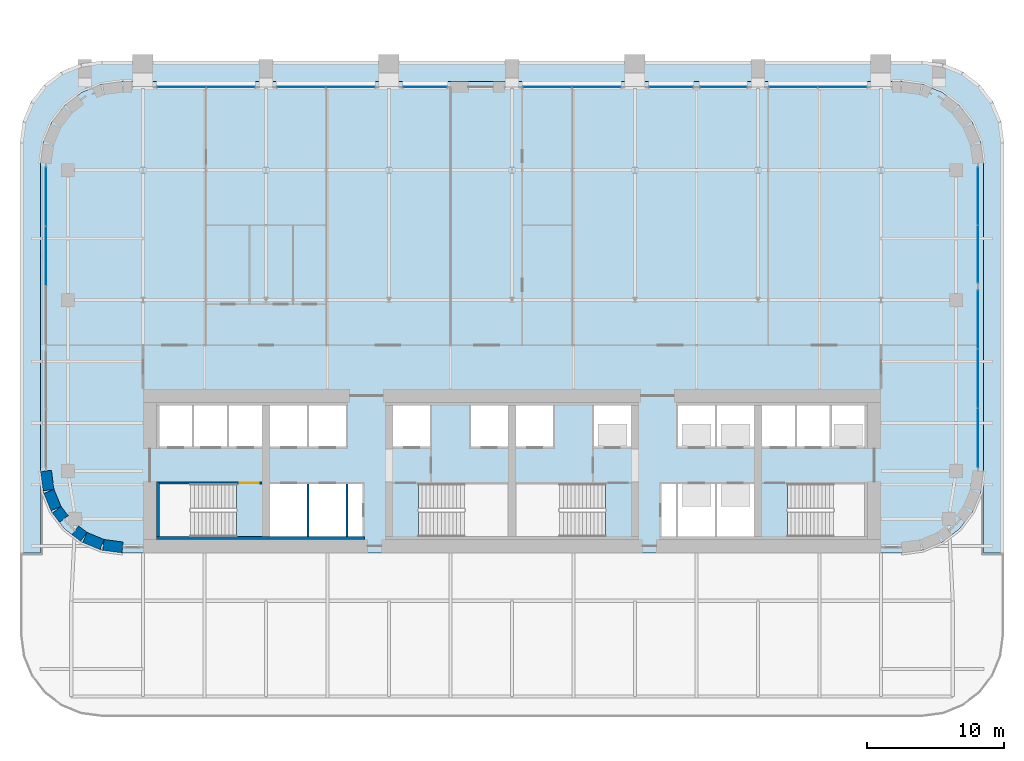
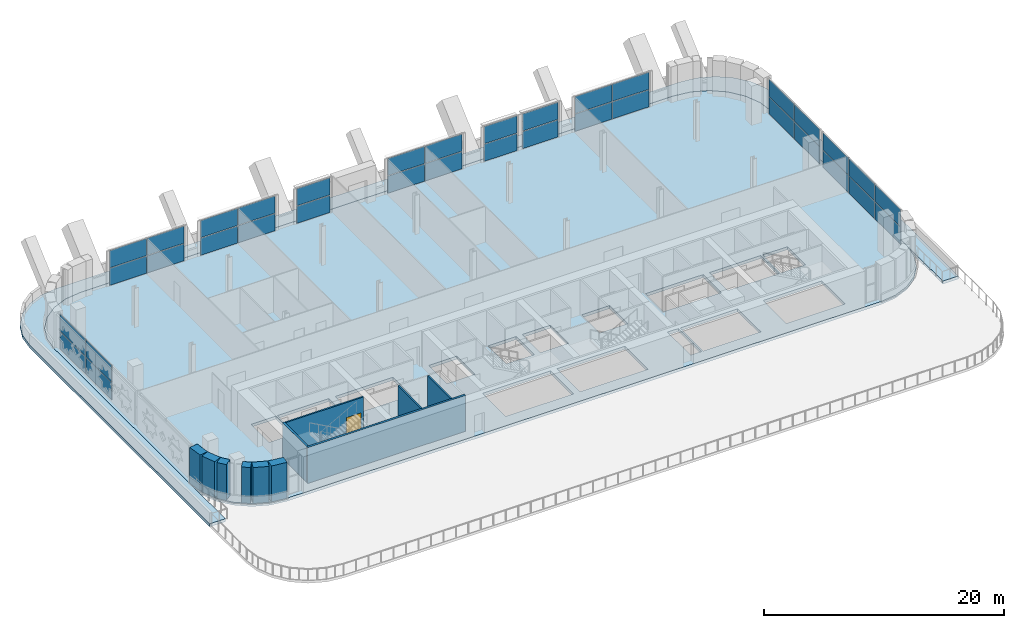
# One storey, part 14 of 26: 36 plates, 11 walls, 2 slabs, 1 door, 1 opening, 10 elements without a shape of their own.
"""IFC4 building model written with IfcOpenShell, lengths in metres."""

from ifc_helpers import new_model, si_unit, direction, frame, frame_2d, origin, origin_2d, place, context, subcontext, project, spatial, polyline, rectangle, outline, extrude, material, layer, layer_set, type_object, element, fill, aggregate, save


model = new_model("IFC4")

# Units and contexts
model_context = context("Model", 3, precision=1e-05, world=origin(), true_north=direction((0.0, 1.0)))
body_context = subcontext(model_context, "Body", "Model", "MODEL_VIEW")
ifc_project = project(units=[si_unit("LENGTHUNIT", "METRE"), si_unit("AREAUNIT", "SQUARE_METRE"), si_unit("VOLUMEUNIT", "CUBIC_METRE"), si_unit("PLANEANGLEUNIT", "RADIAN"), si_unit("MASSUNIT", "GRAM", prefix="KILO")], contexts=[model_context])

# Site, building, storey
site_placement = place(None, origin())
site = spatial("IfcSite", under=ifc_project, at=site_placement, CompositionType="ELEMENT")
building_placement = place(site_placement, origin())
building = spatial("IfcBuilding", under=site, at=building_placement, Name="Zellij Exchange Tower", CompositionType="ELEMENT")
storey_placement = place(building_placement, frame((0.0, 0.0, 156.5)))
storey = spatial("IfcBuildingStorey", under=building, at=storey_placement, Name="L35", CompositionType="ELEMENT", Elevation=156.5)

# Curtain wall, plates
ifc_material_1 = material(Name="Aluminium frame, clear insulating glass", Category="aluminium")
curtain_wall_type = type_object("IfcCurtainWallType", Name="ENV-CW6 Sky-lobby glazing", PredefinedType="NOTDEFINED", material=ifc_material_1)
curtain_wall_1_placement = place(storey_placement, origin())
curtain_wall_1 = element("IfcCurtainWall", 1, at=curtain_wall_1_placement, inside=storey, type_object=curtain_wall_type, Name="cw.L35.07a", PredefinedType="NOTDEFINED")
ifc_material_2 = material(Name="Insulating glass unit, clear", Category="glass")
ifc_layer_1 = layer(ifc_material_2, 0.035888671875)
ifc_layer_set_1 = layer_set([ifc_layer_1], Name="Insulating glass unit, clear")
plate_type = type_object("IfcPlateType", Name="ENV-CW6P Glazed panel 36", PredefinedType="CURTAIN_PANEL", material=ifc_layer_set_1)
plate_1_placement = place(storey_placement, frame((34.10009765625, -5.580810546875, 0.06005859375), z_axis=(0.0, 0.0, 1.0), x_axis=(0.0, 1.0, 0.0)))
plate_1 = element("IfcPlate", 2, at=plate_1_placement, type_object=plate_type, Name="CW6 panel 1.1", PredefinedType="CURTAIN_PANEL", context=body_context, shape_type="SweptSolid", body=[
    extrude(rectangle(XDim=4.26611328125, YDim=0.035888671875, at=origin_2d()), origin(), (0.0, 0.0, 1.0), 1.735107421875),
])
plate_2_placement = place(storey_placement, frame((34.10009765625, -5.580810546875, 1.85498046875), z_axis=(0.0, 0.0, 1.0), x_axis=(0.0, 1.0, 0.0)))
plate_2 = element("IfcPlate", 3, at=plate_2_placement, type_object=plate_type, Name="CW6 panel 1.2", PredefinedType="CURTAIN_PANEL", context=body_context, shape_type="SweptSolid", body=[
    extrude(rectangle(XDim=4.26611328125, YDim=0.035888671875, at=origin_2d()), origin(), (0.0, 0.0, 1.0), 1.735107421875),
])
plate_3_placement = place(storey_placement, frame((34.10009765625, -1.239501953125, 0.06005859375), z_axis=(0.0, 0.0, 1.0), x_axis=(0.0, 1.0, 0.0)))
plate_3 = element("IfcPlate", 4, at=plate_3_placement, type_object=plate_type, Name="CW6 panel 2.1", PredefinedType="CURTAIN_PANEL", context=body_context, shape_type="SweptSolid", body=[
    extrude(rectangle(XDim=4.296142578125, YDim=0.035888671875, at=origin_2d()), origin(), (0.0, 0.0, 1.0), 1.735107421875),
])
plate_4_placement = place(storey_placement, frame((34.10009765625, -1.239501953125, 1.85498046875), z_axis=(0.0, 0.0, 1.0), x_axis=(0.0, 1.0, 0.0)))
plate_4 = element("IfcPlate", 5, at=plate_4_placement, type_object=plate_type, Name="CW6 panel 2.2", PredefinedType="CURTAIN_PANEL", context=body_context, shape_type="SweptSolid", body=[
    extrude(rectangle(XDim=4.296142578125, YDim=0.035888671875, at=origin_2d()), origin(), (0.0, 0.0, 1.0), 1.735107421875),
])
plate_5_placement = place(storey_placement, frame((34.10009765625, 3.1015625, 0.06005859375), z_axis=(0.0, 0.0, 1.0), x_axis=(0.0, 1.0, 0.0)))
plate_5 = element("IfcPlate", 6, at=plate_5_placement, type_object=plate_type, Name="CW6 panel 3.1", PredefinedType="CURTAIN_PANEL", context=body_context, shape_type="SweptSolid", body=[
    extrude(rectangle(XDim=4.26611328125, YDim=0.035888671875, at=origin_2d()), origin(), (0.0, 0.0, 1.0), 1.735107421875),
])
plate_6_placement = place(storey_placement, frame((34.10009765625, 3.1015625, 1.85498046875), z_axis=(0.0, 0.0, 1.0), x_axis=(0.0, 1.0, 0.0)))
plate_6 = element("IfcPlate", 7, at=plate_6_placement, type_object=plate_type, Name="CW6 panel 3.2", PredefinedType="CURTAIN_PANEL", context=body_context, shape_type="SweptSolid", body=[
    extrude(rectangle(XDim=4.26611328125, YDim=0.035888671875, at=origin_2d()), origin(), (0.0, 0.0, 1.0), 1.735107421875),
])
aggregate(curtain_wall_1, [plate_1, plate_2, plate_3, plate_4, plate_5, plate_6])

curtain_wall_2_placement = place(storey_placement, origin())
curtain_wall_2 = element("IfcCurtainWall", 8, at=curtain_wall_2_placement, inside=storey, type_object=curtain_wall_type, Name="cw.L35.07b", PredefinedType="NOTDEFINED")
plate_7_placement = place(storey_placement, frame((34.10009765625, 7.8544921875, 0.06005859375), z_axis=(0.0, 0.0, 1.0), x_axis=(0.0, 1.0, 0.0)))
plate_7 = element("IfcPlate", 9, at=plate_7_placement, type_object=plate_type, Name="CW6 panel 1.1", PredefinedType="CURTAIN_PANEL", context=body_context, shape_type="SweptSolid", body=[
    extrude(rectangle(XDim=4.199462890625, YDim=0.035888671875, at=origin_2d()), origin(), (0.0, 0.0, 1.0), 1.735107421875),
])
plate_8_placement = place(storey_placement, frame((34.10009765625, 7.8544921875, 1.85498046875), z_axis=(0.0, 0.0, 1.0), x_axis=(0.0, 1.0, 0.0)))
plate_8 = element("IfcPlate", 10, at=plate_8_placement, type_object=plate_type, Name="CW6 panel 1.2", PredefinedType="CURTAIN_PANEL", context=body_context, shape_type="SweptSolid", body=[
    extrude(rectangle(XDim=4.199462890625, YDim=0.035888671875, at=origin_2d()), origin(), (0.0, 0.0, 1.0), 1.735107421875),
])
plate_9_placement = place(storey_placement, frame((34.10009765625, 12.114013671875, 0.06005859375), z_axis=(0.0, 0.0, 1.0), x_axis=(0.0, 1.0, 0.0)))
plate_9 = element("IfcPlate", 11, at=plate_9_placement, type_object=plate_type, Name="CW6 panel 2.1", PredefinedType="CURTAIN_PANEL", context=body_context, shape_type="SweptSolid", body=[
    extrude(rectangle(XDim=4.199462890625, YDim=0.035888671875, at=origin_2d()), origin(), (0.0, 0.0, 1.0), 1.735107421875),
])
plate_10_placement = place(storey_placement, frame((34.10009765625, 12.114013671875, 1.85498046875), z_axis=(0.0, 0.0, 1.0), x_axis=(0.0, 1.0, 0.0)))
plate_10 = element("IfcPlate", 12, at=plate_10_placement, type_object=plate_type, Name="CW6 panel 2.2", PredefinedType="CURTAIN_PANEL", context=body_context, shape_type="SweptSolid", body=[
    extrude(rectangle(XDim=4.199462890625, YDim=0.035888671875, at=origin_2d()), origin(), (0.0, 0.0, 1.0), 1.735107421875),
])
aggregate(curtain_wall_2, [plate_7, plate_8, plate_9, plate_10])

curtain_wall_3_placement = place(storey_placement, origin())
curtain_wall_3 = element("IfcCurtainWall", 13, at=curtain_wall_3_placement, inside=storey, type_object=curtain_wall_type, Name="cw.L35.14b", PredefinedType="NOTDEFINED")
plate_11_placement = place(storey_placement, frame((24.172607421875, 20.10009765625, 0.06005859375), z_axis=(0.0, 0.0, 1.0), x_axis=(-1.0, 0.0, 0.0)))
plate_11 = element("IfcPlate", 14, at=plate_11_placement, type_object=plate_type, Name="CW6 panel 1.1", PredefinedType="CURTAIN_PANEL", context=body_context, shape_type="SweptSolid", body=[
    extrude(rectangle(XDim=3.534912109375, YDim=0.035888671875, at=origin_2d()), origin(), (0.0, 0.0, 1.0), 1.735107421875),
])
plate_12_placement = place(storey_placement, frame((24.172607421875, 20.10009765625, 1.85498046875), z_axis=(0.0, 0.0, 1.0), x_axis=(-1.0, 0.0, 0.0)))
plate_12 = element("IfcPlate", 15, at=plate_12_placement, type_object=plate_type, Name="CW6 panel 1.2", PredefinedType="CURTAIN_PANEL", context=body_context, shape_type="SweptSolid", body=[
    extrude(rectangle(XDim=3.534912109375, YDim=0.035888671875, at=origin_2d()), origin(), (0.0, 0.0, 1.0), 1.735107421875),
])
plate_13_placement = place(storey_placement, frame((20.577392578125, 20.10009765625, 0.06005859375), z_axis=(0.0, 0.0, 1.0), x_axis=(-1.0, 0.0, 0.0)))
plate_13 = element("IfcPlate", 16, at=plate_13_placement, type_object=plate_type, Name="CW6 panel 2.1", PredefinedType="CURTAIN_PANEL", context=body_context, shape_type="SweptSolid", body=[
    extrude(rectangle(XDim=3.534912109375, YDim=0.035888671875, at=origin_2d()), origin(), (0.0, 0.0, 1.0), 1.735107421875),
])
plate_14_placement = place(storey_placement, frame((20.577392578125, 20.10009765625, 1.85498046875), z_axis=(0.0, 0.0, 1.0), x_axis=(-1.0, 0.0, 0.0)))
plate_14 = element("IfcPlate", 17, at=plate_14_placement, type_object=plate_type, Name="CW6 panel 2.2", PredefinedType="CURTAIN_PANEL", context=body_context, shape_type="SweptSolid", body=[
    extrude(rectangle(XDim=3.534912109375, YDim=0.035888671875, at=origin_2d()), origin(), (0.0, 0.0, 1.0), 1.735107421875),
])
aggregate(curtain_wall_3, [plate_11, plate_12, plate_13, plate_14])

curtain_wall_4_placement = place(storey_placement, origin())
curtain_wall_4 = element("IfcCurtainWall", 18, at=curtain_wall_4_placement, inside=storey, type_object=curtain_wall_type, Name="cw.L35.14c", PredefinedType="NOTDEFINED")
plate_15_placement = place(storey_placement, frame((15.47509765625, 20.10009765625, 0.06005859375), z_axis=(0.0, 0.0, 1.0), x_axis=(-1.0, 0.0, 0.0)))
plate_15 = element("IfcPlate", 19, at=plate_15_placement, type_object=plate_type, Name="CW6 panel 1.1", PredefinedType="CURTAIN_PANEL", context=body_context, shape_type="SweptSolid", body=[
    extrude(rectangle(XDim=3.429931640625, YDim=0.035888671875, at=origin_2d()), origin(), (0.0, 0.0, 1.0), 1.735107421875),
])
plate_16_placement = place(storey_placement, frame((15.47509765625, 20.10009765625, 1.85498046875), z_axis=(0.0, 0.0, 1.0), x_axis=(-1.0, 0.0, 0.0)))
plate_16 = element("IfcPlate", 20, at=plate_16_placement, type_object=plate_type, Name="CW6 panel 1.2", PredefinedType="CURTAIN_PANEL", context=body_context, shape_type="SweptSolid", body=[
    extrude(rectangle(XDim=3.429931640625, YDim=0.035888671875, at=origin_2d()), origin(), (0.0, 0.0, 1.0), 1.735107421875),
])
aggregate(curtain_wall_4, [plate_15, plate_16])

curtain_wall_5_placement = place(storey_placement, origin())
curtain_wall_5 = element("IfcCurtainWall", 21, at=curtain_wall_5_placement, inside=storey, type_object=curtain_wall_type, Name="cw.L35.14d", PredefinedType="NOTDEFINED")
plate_17_placement = place(storey_placement, frame((11.64990234375, 20.10009765625, 0.06005859375), z_axis=(0.0, 0.0, 1.0), x_axis=(-1.0, 0.0, 0.0)))
plate_17 = element("IfcPlate", 22, at=plate_17_placement, type_object=plate_type, Name="CW6 panel 1.1", PredefinedType="CURTAIN_PANEL", context=body_context, shape_type="SweptSolid", body=[
    extrude(rectangle(XDim=3.179931640625, YDim=0.035888671875, at=origin_2d()), origin(), (0.0, 0.0, 1.0), 1.735107421875),
])
plate_18_placement = place(storey_placement, frame((11.64990234375, 20.10009765625, 1.85498046875), z_axis=(0.0, 0.0, 1.0), x_axis=(-1.0, 0.0, 0.0)))
plate_18 = element("IfcPlate", 23, at=plate_18_placement, type_object=plate_type, Name="CW6 panel 1.2", PredefinedType="CURTAIN_PANEL", context=body_context, shape_type="SweptSolid", body=[
    extrude(rectangle(XDim=3.179931640625, YDim=0.035888671875, at=origin_2d()), origin(), (0.0, 0.0, 1.0), 1.735107421875),
])
aggregate(curtain_wall_5, [plate_17, plate_18])

curtain_wall_6_placement = place(storey_placement, origin())
curtain_wall_6 = element("IfcCurtainWall", 24, at=curtain_wall_6_placement, inside=storey, type_object=curtain_wall_type, Name="cw.L35.14e", PredefinedType="NOTDEFINED")
plate_19_placement = place(storey_placement, frame((6.172607421875, 20.10009765625, 0.06005859375), z_axis=(0.0, 0.0, 1.0), x_axis=(-1.0, 0.0, 0.0)))
plate_19 = element("IfcPlate", 25, at=plate_19_placement, type_object=plate_type, Name="CW6 panel 1.1", PredefinedType="CURTAIN_PANEL", context=body_context, shape_type="SweptSolid", body=[
    extrude(rectangle(XDim=3.534912109375, YDim=0.035888671875, at=origin_2d()), origin(), (0.0, 0.0, 1.0), 1.735107421875),
])
plate_20_placement = place(storey_placement, frame((6.172607421875, 20.10009765625, 1.85498046875), z_axis=(0.0, 0.0, 1.0), x_axis=(-1.0, 0.0, 0.0)))
plate_20 = element("IfcPlate", 26, at=plate_20_placement, type_object=plate_type, Name="CW6 panel 1.2", PredefinedType="CURTAIN_PANEL", context=body_context, shape_type="SweptSolid", body=[
    extrude(rectangle(XDim=3.534912109375, YDim=0.035888671875, at=origin_2d()), origin(), (0.0, 0.0, 1.0), 1.735107421875),
])
plate_21_placement = place(storey_placement, frame((2.577392578125, 20.10009765625, 0.06005859375), z_axis=(0.0, 0.0, 1.0), x_axis=(-1.0, 0.0, 0.0)))
plate_21 = element("IfcPlate", 27, at=plate_21_placement, type_object=plate_type, Name="CW6 panel 2.1", PredefinedType="CURTAIN_PANEL", context=body_context, shape_type="SweptSolid", body=[
    extrude(rectangle(XDim=3.534912109375, YDim=0.035888671875, at=origin_2d()), origin(), (0.0, 0.0, 1.0), 1.735107421875),
])
plate_22_placement = place(storey_placement, frame((2.577392578125, 20.10009765625, 1.85498046875), z_axis=(0.0, 0.0, 1.0), x_axis=(-1.0, 0.0, 0.0)))
plate_22 = element("IfcPlate", 28, at=plate_22_placement, type_object=plate_type, Name="CW6 panel 2.2", PredefinedType="CURTAIN_PANEL", context=body_context, shape_type="SweptSolid", body=[
    extrude(rectangle(XDim=3.534912109375, YDim=0.035888671875, at=origin_2d()), origin(), (0.0, 0.0, 1.0), 1.735107421875),
])
aggregate(curtain_wall_6, [plate_19, plate_20, plate_21, plate_22])

curtain_wall_7_placement = place(storey_placement, origin())
curtain_wall_7 = element("IfcCurtainWall", 29, at=curtain_wall_7_placement, inside=storey, type_object=curtain_wall_type, Name="cw.L35.14g", PredefinedType="NOTDEFINED")
plate_23_placement = place(storey_placement, frame((-6.35009765625, 20.10009765625, 0.06005859375), z_axis=(0.0, 0.0, 1.0), x_axis=(-1.0, 0.0, 0.0)))
plate_23 = element("IfcPlate", 30, at=plate_23_placement, type_object=plate_type, Name="CW6 panel 1.1", PredefinedType="CURTAIN_PANEL", context=body_context, shape_type="SweptSolid", body=[
    extrude(rectangle(XDim=3.179931640625, YDim=0.035888671875, at=origin_2d()), origin(), (0.0, 0.0, 1.0), 1.735107421875),
])
plate_24_placement = place(storey_placement, frame((-6.35009765625, 20.10009765625, 1.85498046875), z_axis=(0.0, 0.0, 1.0), x_axis=(-1.0, 0.0, 0.0)))
plate_24 = element("IfcPlate", 31, at=plate_24_placement, type_object=plate_type, Name="CW6 panel 1.2", PredefinedType="CURTAIN_PANEL", context=body_context, shape_type="SweptSolid", body=[
    extrude(rectangle(XDim=3.179931640625, YDim=0.035888671875, at=origin_2d()), origin(), (0.0, 0.0, 1.0), 1.735107421875),
])
aggregate(curtain_wall_7, [plate_23, plate_24])

curtain_wall_8_placement = place(storey_placement, origin())
curtain_wall_8 = element("IfcCurtainWall", 32, at=curtain_wall_8_placement, inside=storey, type_object=curtain_wall_type, Name="cw.L35.14h", PredefinedType="NOTDEFINED")
plate_25_placement = place(storey_placement, frame((-11.827392578125, 20.10009765625, 0.06005859375), z_axis=(0.0, 0.0, 1.0), x_axis=(-1.0, 0.0, 0.0)))
plate_25 = element("IfcPlate", 33, at=plate_25_placement, type_object=plate_type, Name="CW6 panel 1.1", PredefinedType="CURTAIN_PANEL", context=body_context, shape_type="SweptSolid", body=[
    extrude(rectangle(XDim=3.534912109375, YDim=0.035888671875, at=origin_2d()), origin(), (0.0, 0.0, 1.0), 1.735107421875),
])
plate_26_placement = place(storey_placement, frame((-11.827392578125, 20.10009765625, 1.85498046875), z_axis=(0.0, 0.0, 1.0), x_axis=(-1.0, 0.0, 0.0)))
plate_26 = element("IfcPlate", 34, at=plate_26_placement, type_object=plate_type, Name="CW6 panel 1.2", PredefinedType="CURTAIN_PANEL", context=body_context, shape_type="SweptSolid", body=[
    extrude(rectangle(XDim=3.534912109375, YDim=0.035888671875, at=origin_2d()), origin(), (0.0, 0.0, 1.0), 1.735107421875),
])
plate_27_placement = place(storey_placement, frame((-15.422607421875, 20.10009765625, 0.06005859375), z_axis=(0.0, 0.0, 1.0), x_axis=(-1.0, 0.0, 0.0)))
plate_27 = element("IfcPlate", 35, at=plate_27_placement, type_object=plate_type, Name="CW6 panel 2.1", PredefinedType="CURTAIN_PANEL", context=body_context, shape_type="SweptSolid", body=[
    extrude(rectangle(XDim=3.534912109375, YDim=0.035888671875, at=origin_2d()), origin(), (0.0, 0.0, 1.0), 1.735107421875),
])
plate_28_placement = place(storey_placement, frame((-15.422607421875, 20.10009765625, 1.85498046875), z_axis=(0.0, 0.0, 1.0), x_axis=(-1.0, 0.0, 0.0)))
plate_28 = element("IfcPlate", 36, at=plate_28_placement, type_object=plate_type, Name="CW6 panel 2.2", PredefinedType="CURTAIN_PANEL", context=body_context, shape_type="SweptSolid", body=[
    extrude(rectangle(XDim=3.534912109375, YDim=0.035888671875, at=origin_2d()), origin(), (0.0, 0.0, 1.0), 1.735107421875),
])
aggregate(curtain_wall_8, [plate_25, plate_26, plate_27, plate_28])

curtain_wall_9_placement = place(storey_placement, origin())
curtain_wall_9 = element("IfcCurtainWall", 37, at=curtain_wall_9_placement, inside=storey, type_object=curtain_wall_type, Name="cw.L35.14i", PredefinedType="NOTDEFINED")
plate_29_placement = place(storey_placement, frame((-20.577392578125, 20.10009765625, 0.06005859375), z_axis=(0.0, 0.0, 1.0), x_axis=(-1.0, 0.0, 0.0)))
plate_29 = element("IfcPlate", 38, at=plate_29_placement, type_object=plate_type, Name="CW6 panel 1.1", PredefinedType="CURTAIN_PANEL", context=body_context, shape_type="SweptSolid", body=[
    extrude(rectangle(XDim=3.534912109375, YDim=0.035888671875, at=origin_2d()), origin(), (0.0, 0.0, 1.0), 1.735107421875),
])
plate_30_placement = place(storey_placement, frame((-20.577392578125, 20.10009765625, 1.85498046875), z_axis=(0.0, 0.0, 1.0), x_axis=(-1.0, 0.0, 0.0)))
plate_30 = element("IfcPlate", 39, at=plate_30_placement, type_object=plate_type, Name="CW6 panel 1.2", PredefinedType="CURTAIN_PANEL", context=body_context, shape_type="SweptSolid", body=[
    extrude(rectangle(XDim=3.534912109375, YDim=0.035888671875, at=origin_2d()), origin(), (0.0, 0.0, 1.0), 1.735107421875),
])
plate_31_placement = place(storey_placement, frame((-24.172607421875, 20.10009765625, 0.06005859375), z_axis=(0.0, 0.0, 1.0), x_axis=(-1.0, 0.0, 0.0)))
plate_31 = element("IfcPlate", 40, at=plate_31_placement, type_object=plate_type, Name="CW6 panel 2.1", PredefinedType="CURTAIN_PANEL", context=body_context, shape_type="SweptSolid", body=[
    extrude(rectangle(XDim=3.534912109375, YDim=0.035888671875, at=origin_2d()), origin(), (0.0, 0.0, 1.0), 1.735107421875),
])
plate_32_placement = place(storey_placement, frame((-24.172607421875, 20.10009765625, 1.85498046875), z_axis=(0.0, 0.0, 1.0), x_axis=(-1.0, 0.0, 0.0)))
plate_32 = element("IfcPlate", 41, at=plate_32_placement, type_object=plate_type, Name="CW6 panel 2.2", PredefinedType="CURTAIN_PANEL", context=body_context, shape_type="SweptSolid", body=[
    extrude(rectangle(XDim=3.534912109375, YDim=0.035888671875, at=origin_2d()), origin(), (0.0, 0.0, 1.0), 1.735107421875),
])
aggregate(curtain_wall_9, [plate_29, plate_30, plate_31, plate_32])

curtain_wall_10_placement = place(storey_placement, origin())
curtain_wall_10 = element("IfcCurtainWall", 42, at=curtain_wall_10_placement, inside=storey, type_object=curtain_wall_type, Name="cw.L35.21a", PredefinedType="NOTDEFINED")
plate_33_placement = place(storey_placement, frame((-34.10009765625, 12.080810546875, 0.06005859375), z_axis=(0.0, 0.0, 1.0), x_axis=(0.0, -1.0, 0.0)))
plate_33 = element("IfcPlate", 43, at=plate_33_placement, type_object=plate_type, Name="CW6 panel 1.1", PredefinedType="CURTAIN_PANEL", context=body_context, shape_type="SweptSolid", body=[
    extrude(rectangle(XDim=4.26611328125, YDim=0.035888671875, at=origin_2d()), origin(), (0.0, 0.0, 1.0), 1.735107421875),
])
plate_34_placement = place(storey_placement, frame((-34.10009765625, 12.080810546875, 1.85498046875), z_axis=(0.0, 0.0, 1.0), x_axis=(0.0, -1.0, 0.0)))
plate_34 = element("IfcPlate", 44, at=plate_34_placement, type_object=plate_type, Name="CW6 panel 1.2", PredefinedType="CURTAIN_PANEL", context=body_context, shape_type="SweptSolid", body=[
    extrude(rectangle(XDim=4.26611328125, YDim=0.035888671875, at=origin_2d()), origin(), (0.0, 0.0, 1.0), 1.735107421875),
])
plate_35_placement = place(storey_placement, frame((-34.10009765625, 7.739501953125, 0.06005859375), z_axis=(0.0, 0.0, 1.0), x_axis=(0.0, -1.0, 0.0)))
plate_35 = element("IfcPlate", 45, at=plate_35_placement, type_object=plate_type, Name="CW6 panel 2.1", PredefinedType="CURTAIN_PANEL", context=body_context, shape_type="SweptSolid", body=[
    extrude(rectangle(XDim=4.296142578125, YDim=0.035888671875, at=origin_2d()), origin(), (0.0, 0.0, 1.0), 1.735107421875),
])
plate_36_placement = place(storey_placement, frame((-34.10009765625, 7.739501953125, 1.85498046875), z_axis=(0.0, 0.0, 1.0), x_axis=(0.0, -1.0, 0.0)))
plate_36 = element("IfcPlate", 46, at=plate_36_placement, type_object=plate_type, Name="CW6 panel 2.2", PredefinedType="CURTAIN_PANEL", context=body_context, shape_type="SweptSolid", body=[
    extrude(rectangle(XDim=4.296142578125, YDim=0.035888671875, at=origin_2d()), origin(), (0.0, 0.0, 1.0), 1.735107421875),
])
aggregate(curtain_wall_10, [plate_33, plate_34, plate_35, plate_36])

# Slabs
ifc_material_3 = material(Name="Concrete C40/50", Category="concrete")
ifc_layer_2 = layer(ifc_material_3, 0.300048828125)
ifc_layer_set_2 = layer_set([ifc_layer_2], Name="Concrete C40/50")
slab_type_1 = type_object("IfcSlabType", Name="ENV-LEDGE SLAB 300 C40/50", PredefinedType="ROOF", material=ifc_layer_set_2)
slab_1_placement = place(storey_placement, frame((0.0, 0.0, -0.300048828125)))
element("IfcSlab", 47, at=slab_1_placement, inside=storey, type_object=slab_type_1, Name="Ledge slab L35", PredefinedType="ROOF", context=body_context, shape_type="SweptSolid", body=[
    extrude(outline(polyline([(-35.795654296875, 17.552978515625), (-36.0, 16.0), (-36.0, -14.0), (-34.5, -14.0), (-34.5, 14.5), (-34.295654296875, 16.052978515625), (-33.6962890625, 17.5), (-32.74267578125, 18.74267578125), (-31.5, 19.6962890625), (-30.052978515625, 20.295654296875), (-28.5, 20.5), (28.5, 20.5), (30.052978515625, 20.295654296875), (31.5, 19.6962890625), (32.74267578125, 18.74267578125), (33.6962890625, 17.5), (34.295654296875, 16.052978515625), (34.5, 14.5), (34.5, -14.0), (36.0, -14.0), (36.0, 16.0), (35.795654296875, 17.552978515625), (35.1962890625, 19.0), (34.24267578125, 20.24267578125), (33.0, 21.1962890625), (31.552978515625, 21.795654296875), (30.0, 22.0), (-30.0, 22.0), (-31.552978515625, 21.795654296875), (-33.0, 21.1962890625), (-34.24267578125, 20.24267578125), (-35.1962890625, 19.0), (-35.795654296875, 17.552978515625)])), origin(), (0.0, 0.0, 1.0), 0.300048828125),
])
ifc_layer_3 = layer(ifc_material_3, 0.300048828125)
ifc_layer_set_3 = layer_set([ifc_layer_3], Name="Concrete C40/50")
slab_type_2 = type_object("IfcSlabType", Name="STR-FLOOR SLAB 300 C40/50", PredefinedType="FLOOR", material=ifc_layer_set_3)
slab_2_placement = place(storey_placement, frame((0.0, 0.0, -0.300048828125)))
element("IfcSlab", 48, at=slab_2_placement, inside=storey, type_object=slab_type_2, Name="Floor L35", PredefinedType="FLOOR", context=body_context, shape_type="SweptSolid", body=[
    extrude(outline(polyline([(-28.5, -14.0), (-30.052978515625, -13.795654296875), (-31.5, -13.1962890625), (-32.74267578125, -12.24267578125), (-33.6962890625, -11.0), (-34.295654296875, -9.552978515625), (-34.5, -8.0), (-34.5, 14.5), (-34.295654296875, 16.052978515625), (-33.6962890625, 17.5), (-32.74267578125, 18.74267578125), (-31.5, 19.6962890625), (-30.052978515625, 20.295654296875), (-28.5, 20.5), (28.5, 20.5), (30.052978515625, 20.295654296875), (31.5, 19.6962890625), (32.74267578125, 18.74267578125), (33.6962890625, 17.5), (34.295654296875, 16.052978515625), (34.5, 14.5), (34.5, -8.0), (34.295654296875, -9.552978515625), (33.6962890625, -11.0), (32.74267578125, -12.24267578125), (31.5, -13.1962890625), (30.052978515625, -13.795654296875), (28.5, -14.0), (-28.5, -14.0)]), holes=[polyline([(-20.153076171875, -8.949951171875), (-25.800048828125, -8.949951171875), (-25.800048828125, -12.800048828125), (-20.153076171875, -12.800048828125), (-20.153076171875, -8.949951171875)]), polyline([(-12.14990234375, -8.949951171875), (-17.699951171875, -8.949951171875), (-17.699951171875, -12.800048828125), (-12.14990234375, -12.800048828125), (-12.14990234375, -8.949951171875)]), polyline([(-10.949951171875, -8.949951171875), (-12.0, -8.949951171875), (-12.0, -12.800048828125), (-10.949951171875, -12.800048828125), (-10.949951171875, -8.949951171875)]), polyline([(-0.300048828125, -8.949951171875), (-6.846923828125, -8.949951171875), (-6.846923828125, -12.800048828125), (-0.300048828125, -12.800048828125), (-0.300048828125, -8.949951171875)]), polyline([(-23.39990234375, -3.199951171875), (-25.800048828125, -3.199951171875), (-25.800048828125, -6.22509765625), (-23.39990234375, -6.22509765625), (-23.39990234375, -3.199951171875)]), polyline([(-18.300048828125, -3.199951171875), (-23.25, -3.199951171875), (-23.25, -6.22509765625), (-18.300048828125, -6.22509765625), (-18.300048828125, -3.199951171875)]), polyline([(-12.14990234375, -3.199951171875), (-17.699951171875, -3.199951171875), (-17.699951171875, -6.22509765625), (-12.14990234375, -6.22509765625), (-12.14990234375, -3.199951171875)]), polyline([(-6.0, -6.22509765625), (-6.0, -3.199951171875), (-8.699951171875, -3.199951171875), (-8.699951171875, -6.22509765625), (-6.0, -6.22509765625)]), polyline([(-0.300048828125, -6.22509765625), (-0.300048828125, -3.199951171875), (-3.0, -3.199951171875), (-3.0, -6.22509765625), (-0.300048828125, -6.22509765625)]), polyline([(6.846923828125, -8.949951171875), (0.300048828125, -8.949951171875), (0.300048828125, -12.800048828125), (6.846923828125, -12.800048828125), (6.846923828125, -8.949951171875)]), polyline([(12.0, -8.949951171875), (10.949951171875, -8.949951171875), (10.949951171875, -12.800048828125), (12.0, -12.800048828125), (12.0, -8.949951171875)]), polyline([(17.699951171875, -8.949951171875), (12.14990234375, -8.949951171875), (12.14990234375, -12.800048828125), (17.699951171875, -12.800048828125), (17.699951171875, -8.949951171875)]), polyline([(25.800048828125, -8.949951171875), (20.153076171875, -8.949951171875), (20.153076171875, -12.800048828125), (25.800048828125, -12.800048828125), (25.800048828125, -8.949951171875)]), polyline([(3.0, -3.199951171875), (0.300048828125, -3.199951171875), (0.300048828125, -6.22509765625), (3.0, -6.22509765625), (3.0, -3.199951171875)]), polyline([(8.699951171875, -3.199951171875), (6.0, -3.199951171875), (6.0, -6.22509765625), (8.699951171875, -6.22509765625), (8.699951171875, -3.199951171875)]), polyline([(17.699951171875, -3.199951171875), (12.14990234375, -3.199951171875), (12.14990234375, -6.22509765625), (17.699951171875, -6.22509765625), (17.699951171875, -3.199951171875)]), polyline([(23.25, -6.22509765625), (23.25, -3.199951171875), (18.300048828125, -3.199951171875), (18.300048828125, -6.22509765625), (23.25, -6.22509765625)]), polyline([(25.800048828125, -6.22509765625), (25.800048828125, -3.199951171875), (23.39990234375, -3.199951171875), (23.39990234375, -6.22509765625), (25.800048828125, -6.22509765625)])]), origin(), (0.0, 0.0, 1.0), 0.300048828125),
])

# Walls
ifc_material_4 = material(Name="Concrete C30/37", Category="concrete")
ifc_layer_4 = layer(ifc_material_4, 0.199951171875)
ifc_layer_set_4 = layer_set([ifc_layer_4], Name="Concrete C30/37")
wall_type_1 = type_object("IfcWallType", Name="CORE-LW 200 C30/37", PredefinedType="SHEAR", material=ifc_layer_set_4)
wall_1_placement = place(storey_placement, frame((-26.0, -12.89990234375, 0.0), z_axis=(0.0, 0.0, 1.0), x_axis=(1.0, 0.0, 0.0)))
element("IfcWall", 49, at=wall_1_placement, inside=storey, type_object=wall_type_1, Name="Core wall lining rear.0 L35", PredefinedType="SHEAR", context=body_context, shape_type="SweptSolid", body=[
    extrude(rectangle(XDim=15.199951171875, YDim=0.199951171875, at=frame_2d((7.60009765625, 0.0))), origin(), (0.0, 0.0, 1.0), 3.64990234375),
])
wall_2_placement = place(storey_placement, frame((-25.89990234375, -12.800048828125, 0.0), z_axis=(0.0, 0.0, 1.0), x_axis=(0.0, 1.0, 0.0)))
element("IfcWall", 50, at=wall_2_placement, inside=storey, type_object=wall_type_1, Name="Core wall lining end w.0 L35", PredefinedType="SHEAR", context=body_context, shape_type="SweptSolid", body=[
    extrude(rectangle(XDim=4.0, YDim=0.199951171875, at=frame_2d((2.0, 0.0))), origin(), (0.0, 0.0, 1.0), 3.64990234375),
])
ifc_material_5 = material(Name="Gypsum shaft wall system")
ifc_layer_5 = layer(ifc_material_5, 0.14990234375)
ifc_layer_set_5 = layer_set([ifc_layer_5], Name="Gypsum shaft wall system")
wall_type_2 = type_object("IfcWallType", Name="CORE-PW 150 Lift shaft wall", PredefinedType="PARTITIONING", material=ifc_layer_set_5)
for number, where, z_axis, x_axis, name in (
    (51, (-12.074951171875, -12.800048828125, 0.0), (0.0, 0.0, 1.0), (0.0, 1.0, 0.0), "Lift shaft wall L35"),
    (52, (-14.925048828125, -12.800048828125, 0.0), (0.0, 0.0, 1.0), (0.0, 1.0, 0.0), "Lift shaft wall L35"),
):
    element("IfcWall", number, at=place(storey_placement, frame(where, z_axis=z_axis, x_axis=x_axis)), inside=storey, type_object=wall_type_2, Name=name, PredefinedType="PARTITIONING", context=body_context, shape_type="SweptSolid", body=[
        extrude(rectangle(XDim=3.85009765625, YDim=0.14990234375, at=frame_2d((1.925048828125, 0.0))), origin(), (0.0, 0.0, 1.0), 3.64990234375),
    ])

# Wall, opening, door
ifc_material_6 = material(Name="Concrete C70/85", Category="concrete")
ifc_layer_6 = layer(ifc_material_6, 0.14990234375)
ifc_layer_set_6 = layer_set([ifc_layer_6], Name="Concrete C70/85")
wall_type_3 = type_object("IfcWallType", Name="CORE-SWS 150 C70/85", PredefinedType="SHEAR", material=ifc_layer_set_6)
wall_3_placement = place(storey_placement, frame((-25.800048828125, -8.875, 0.0), z_axis=(0.0, 0.0, 1.0), x_axis=(1.0, 0.0, 0.0)))
wall_3 = element("IfcWall", 53, at=wall_3_placement, inside=storey, type_object=wall_type_3, Name="Stair enclosure wall L35", PredefinedType="SHEAR", context=body_context, shape_type="SweptSolid", body=[
    extrude(rectangle(XDim=7.5, YDim=0.14990234375, at=frame_2d((3.75, 0.0))), origin(), (0.0, 0.0, 1.0), 3.64990234375),
])
opening_placement = place(wall_3_placement, frame((5.875, 0.0, 0.0)))
opening = element("IfcOpeningElement", 54, at=opening_placement, cuts=wall_3, Name="Opening CA-19.05", PredefinedType="OPENING", context=body_context, shape_type="SweptSolid", body=[
    extrude(rectangle(XDim=1.39990234375, YDim=2.10009765625, at=frame_2d((0.699951171875, 1.050048828125))), frame((0.0, 0.0869140625, 0.0), z_axis=(0.0, -1.0, 0.0), x_axis=(1.0, 0.0, 0.0)), (0.0, 0.0, 1.0), 0.173828125),
])
ifc_material_7 = material(Name="Hollow metal fire door")
door_type = type_object("IfcDoorType", Name="CORE-D SD Stair door 1400x2100 1.5 HR", OperationType="NOTDEFINED", PredefinedType="DOOR", material=ifc_material_7)
door_placement = place(opening_placement, origin())
door = element("IfcDoor", 55, at=door_placement, inside=storey, type_object=door_type, Name="Stair door CA-19.05", OperationType="DOUBLE_DOOR_SINGLE_SWING", OverallHeight=2.10009765625, OverallWidth=1.39990234375, PredefinedType="DOOR", context=body_context, shape_type="SweptSolid", body=[
    extrude(rectangle(XDim=1.39990234375, YDim=2.10009765625, at=frame_2d((0.699951171875, 1.050048828125))), frame((0.0, 0.02490234375, 0.0), z_axis=(0.0, -1.0, 0.0), x_axis=(1.0, 0.0, 0.0)), (0.0, 0.0, 1.0), 0.050048828125),
])
fill(opening, door)

# Walls
ifc_material_8 = material(Name="Precast concrete C40/50", Category="concrete")
ifc_layer_7 = layer(ifc_material_8, 0.800048828125)
ifc_layer_set_7 = layer_set([ifc_layer_7], Name="Precast concrete C40/50")
wall_type_4 = type_object("IfcWallType", Name="ENV-EW1 Precast stone-piered wall 800", PredefinedType="SOLIDWALL", material=ifc_layer_set_7)
wall_4_placement = place(storey_placement, frame((-34.0966796875, -7.999755859375, 0.0), z_axis=(0.0, 0.0, 1.0), x_axis=(0.130517283865, -0.99144603414, 0.0)))
element("IfcWall", 56, at=wall_4_placement, inside=storey, type_object=wall_type_4, Name="fac.L35.22", PredefinedType="SOLIDWALL", context=body_context, shape_type="SweptSolid", body=[
    extrude(rectangle(XDim=1.408447265625, YDim=0.800048828125, at=frame_2d((0.7041015625, 0.0))), origin(), (0.0, 0.0, 1.0), 3.64990234375),
])
wall_5_placement = place(storey_placement, frame((-33.8857421875, -9.497314453125, 0.0), z_axis=(0.0, 0.0, 1.0), x_axis=(0.38276009378, -0.923847774587, 0.0)))
element("IfcWall", 57, at=wall_5_placement, inside=storey, type_object=wall_type_4, Name="fac.L35.23", PredefinedType="SOLIDWALL", context=body_context, shape_type="SweptSolid", body=[
    extrude(rectangle(XDim=1.35546875, YDim=0.800048828125, at=frame_2d((0.677734375, 0.0))), origin(), (0.0, 0.0, 1.0), 3.64990234375),
])
wall_6_placement = place(storey_placement, frame((-33.314697265625, -10.840087890625, 0.0), z_axis=(0.0, 0.0, 1.0), x_axis=(0.608751445631, -0.793361000707, 0.0)))
element("IfcWall", 58, at=wall_6_placement, inside=storey, type_object=wall_type_4, Name="fac.L35.24", PredefinedType="SOLIDWALL", context=body_context, shape_type="SweptSolid", body=[
    extrude(rectangle(XDim=0.84912109375, YDim=0.800048828125, at=frame_2d((0.424560546875, 0.0))), origin(), (0.0, 0.0, 1.0), 3.64990234375),
])
wall_7_placement = place(storey_placement, frame((-31.948486328125, -12.347900390625, 0.0), z_axis=(0.0, 0.0, 1.0), x_axis=(0.793380840338, -0.608725588574, 0.0)))
element("IfcWall", 59, at=wall_7_placement, inside=storey, type_object=wall_type_4, Name="fac.L35.25", PredefinedType="SOLIDWALL", context=body_context, shape_type="SweptSolid", body=[
    extrude(rectangle(XDim=0.766845703125, YDim=0.800048828125, at=frame_2d((0.38330078125, 0.0))), origin(), (0.0, 0.0, 1.0), 3.64990234375),
])
wall_8_placement = place(storey_placement, frame((-31.24951171875, -12.866943359375, 0.0), z_axis=(0.0, 0.0, 1.0), x_axis=(0.923847774587, -0.38276009378, 0.0)))
element("IfcWall", 60, at=wall_8_placement, inside=storey, type_object=wall_type_4, Name="fac.L35.26", PredefinedType="SOLIDWALL", context=body_context, shape_type="SweptSolid", body=[
    extrude(rectangle(XDim=1.35546875, YDim=0.800048828125, at=frame_2d((0.677734375, 0.0))), origin(), (0.0, 0.0, 1.0), 3.64990234375),
])
wall_9_placement = place(storey_placement, frame((-29.896240234375, -13.412841796875, 0.0), z_axis=(0.0, 0.0, 1.0), x_axis=(0.99144603414, -0.130517283865, 0.0)))
element("IfcWall", 61, at=wall_9_placement, inside=storey, type_object=wall_type_4, Name="fac.L35.27", PredefinedType="SOLIDWALL", context=body_context, shape_type="SweptSolid", body=[
    extrude(rectangle(XDim=1.408447265625, YDim=0.800048828125, at=frame_2d((0.7041015625, 0.0))), origin(), (0.0, 0.0, 1.0), 3.64990234375),
])

save(model, "model.ifc")
